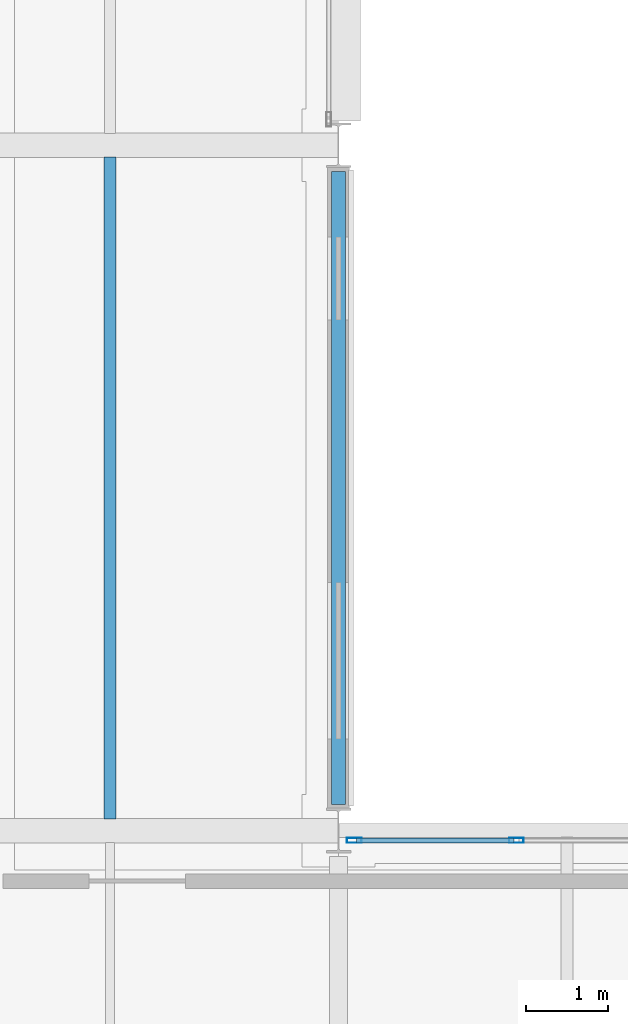
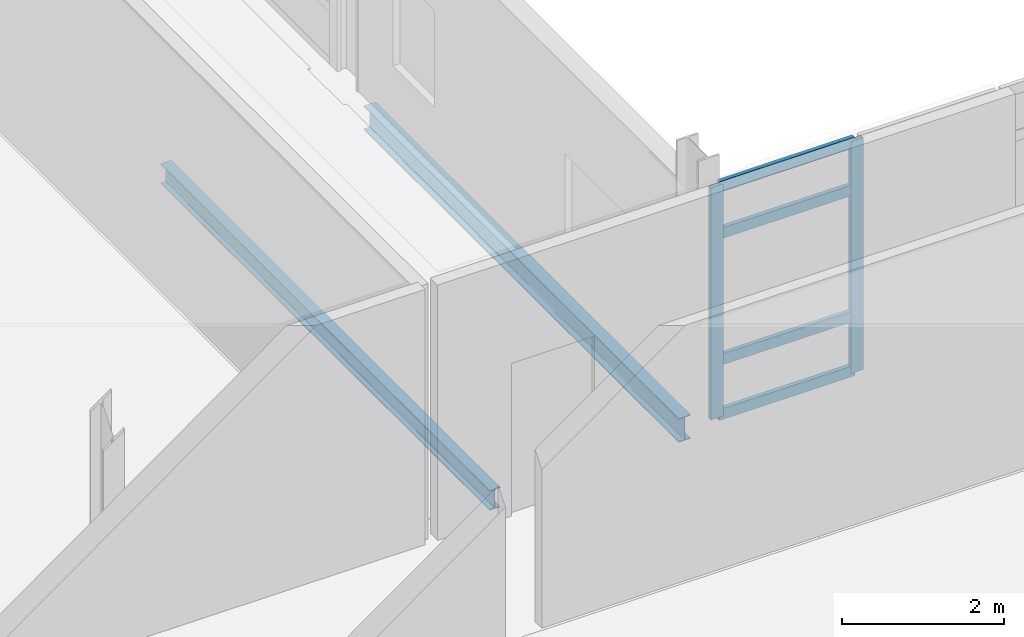
# One storey, part 28 of 151: 6 members, 2 beams, 1 element without a shape of its own.
"""IFC4 building model written with IfcOpenShell, lengths in metres."""

from ifc_helpers import new_model, si_unit, direction, frame, origin, origin_2d, place, context, subcontext, project, spatial, hollow_rectangle, i_section, extrude, material, material_profile, profile_set, type_object, element, aggregate, save


model = new_model("IFC4")

# Units and contexts
model_context = context("Model", 3, precision=1e-05, world=origin(), true_north=direction((0.0, 1.0)))
body_context = subcontext(model_context, "Body", "Model", "MODEL_VIEW")
ifc_project = project(units=[si_unit("LENGTHUNIT", "METRE"), si_unit("AREAUNIT", "SQUARE_METRE"), si_unit("VOLUMEUNIT", "CUBIC_METRE"), si_unit("PLANEANGLEUNIT", "RADIAN"), si_unit("MASSUNIT", "GRAM", prefix="KILO")], contexts=[model_context])

# Site, building, storey
site_placement = place(None, origin())
site = spatial("IfcSite", under=ifc_project, at=site_placement, CompositionType="ELEMENT")
building_placement = place(site_placement, origin())
building = spatial("IfcBuilding", under=site, at=building_placement, Name="Mersafa Astral City Hall", CompositionType="ELEMENT")
storey_placement = place(building_placement, frame((0.0, 0.0, 9.89990234375)))
storey = spatial("IfcBuildingStorey", under=building, at=storey_placement, Name="L02", CompositionType="ELEMENT", Elevation=9.89990234375)

# Curtain wall, members
ifc_material_1 = material(Name="Anodised bronze aluminium framing", Category="aluminium")
curtain_wall_type = type_object("IfcCurtainWallType", Name="ENV-CW-3", PredefinedType="USERDEFINED", material=ifc_material_1)
curtain_wall_placement = place(storey_placement, origin())
curtain_wall = element("IfcCurtainWall", 1, at=curtain_wall_placement, inside=storey, type_object=curtain_wall_type, Name="L02 Unitised solar curtain wall 110", ObjectType="UNITISED CURTAIN WALL", PredefinedType="USERDEFINED")
ifc_material_profile_1 = material_profile(ifc_material_1, hollow_rectangle(XDim=0.06005859375, YDim=0.179931640625, WallThickness=0.00390625, at=origin_2d()), Name="RHS 60x180x4")
ifc_profile_set_1 = profile_set([ifc_material_profile_1], Name="Anodised bronze aluminium framing")
member_type_1 = type_object("IfcMemberType", Name="ENV-CW-MUL-1", PredefinedType="MULLION", material=ifc_profile_set_1)
member_1_placement = place(storey_placement, frame((119.781005859375, 33.47998046875, -0.001953125), z_axis=(0.0, 0.0, 1.0), x_axis=(0.0, -1.0, 0.0)))
member_1 = element("IfcMember", 2, at=member_1_placement, type_object=member_type_1, Name="CW-3 mullion 4", PredefinedType="MULLION", context=body_context, shape_type="SweptSolid", body=[
    extrude(hollow_rectangle(XDim=0.06005859375, YDim=0.179931640625, WallThickness=0.00390625, at=origin_2d()), origin(), (0.0, 0.0, 1.0), 3.489013671875),
])
member_2_placement = place(storey_placement, frame((117.7919921875, 33.47998046875, -0.001953125), z_axis=(0.0, 0.0, 1.0), x_axis=(0.0, -1.0, 0.0)))
member_2 = element("IfcMember", 3, at=member_2_placement, type_object=member_type_1, Name="CW-3 mullion 5", PredefinedType="MULLION", context=body_context, shape_type="SweptSolid", body=[
    extrude(hollow_rectangle(XDim=0.06005859375, YDim=0.179931640625, WallThickness=0.00390625, at=origin_2d()), origin(), (0.0, 0.0, 1.0), 3.489013671875),
])
ifc_material_profile_2 = material_profile(ifc_material_1, hollow_rectangle(XDim=0.06005859375, YDim=0.159912109375, WallThickness=0.00390625, at=origin_2d()), Name="RHS 60x160x4")
ifc_profile_set_2 = profile_set([ifc_material_profile_2], Name="Anodised bronze aluminium framing")
member_type_2 = type_object("IfcMemberType", Name="ENV-CW-TRN-2", PredefinedType="USERDEFINED", material=ifc_profile_set_2)
member_3_placement = place(storey_placement, frame((119.7509765625, 33.47998046875, 0.028076171875), z_axis=(-1.0, 0.0, 0.0), x_axis=(0.0, -1.0, 0.0)))
member_3 = element("IfcMember", 4, at=member_3_placement, type_object=member_type_2, Name="CW-3 transom 4.1", ObjectType="TRANSOM", PredefinedType="USERDEFINED", context=body_context, shape_type="SweptSolid", body=[
    extrude(hollow_rectangle(XDim=0.06005859375, YDim=0.159912109375, WallThickness=0.00390625, at=origin_2d()), origin(), (0.0, 0.0, 1.0), 1.928955078125),
])
member_4_placement = place(storey_placement, frame((119.7509765625, 33.47998046875, 0.85009765625), z_axis=(-1.0, 0.0, 0.0), x_axis=(0.0, -1.0, 0.0)))
member_4 = element("IfcMember", 5, at=member_4_placement, type_object=member_type_2, Name="CW-3 transom 4.2", ObjectType="TRANSOM", PredefinedType="USERDEFINED", context=body_context, shape_type="SweptSolid", body=[
    extrude(hollow_rectangle(XDim=0.06005859375, YDim=0.159912109375, WallThickness=0.00390625, at=origin_2d()), origin(), (0.0, 0.0, 1.0), 1.928955078125),
])
member_5_placement = place(storey_placement, frame((119.7509765625, 33.47998046875, 2.75), z_axis=(-1.0, 0.0, 0.0), x_axis=(0.0, -1.0, 0.0)))
member_5 = element("IfcMember", 6, at=member_5_placement, type_object=member_type_2, Name="CW-3 transom 4.3", ObjectType="TRANSOM", PredefinedType="USERDEFINED", context=body_context, shape_type="SweptSolid", body=[
    extrude(hollow_rectangle(XDim=0.06005859375, YDim=0.159912109375, WallThickness=0.00390625, at=origin_2d()), origin(), (0.0, 0.0, 1.0), 1.928955078125),
])
member_6_placement = place(storey_placement, frame((119.7509765625, 33.47998046875, 3.45703125), z_axis=(-1.0, 0.0, 0.0), x_axis=(0.0, -1.0, 0.0)))
member_6 = element("IfcMember", 7, at=member_6_placement, type_object=member_type_2, Name="CW-3 transom 4.4", ObjectType="TRANSOM", PredefinedType="USERDEFINED", context=body_context, shape_type="SweptSolid", body=[
    extrude(hollow_rectangle(XDim=0.06005859375, YDim=0.159912109375, WallThickness=0.00390625, at=origin_2d()), origin(), (0.0, 0.0, 1.0), 1.928955078125),
])
aggregate(curtain_wall, [member_1, member_2, member_3, member_4, member_5, member_6])

# Beams
ifc_material_2 = material(Name="Steel S355", Category="steel")
ifc_material_profile_3 = material_profile(ifc_material_2, i_section(OverallWidth=0.14990234375, OverallDepth=0.300048828125, WebThickness=0.007080078125, FlangeThickness=0.0107421875, FilletRadius=0.014892578125, at=origin_2d()), Name="IPE 300")
ifc_profile_set_3 = profile_set([ifc_material_profile_3], Name="Steel S355")
beam_type_1 = type_object("IfcBeamType", Name="STR-BM-JOIST-IPE300", PredefinedType="JOIST", material=ifc_profile_set_3)
beam_1_placement = place(storey_placement, frame((114.800048828125, 33.7451171875, -0.349853515625), z_axis=(0.0, 1.0, 0.0), x_axis=(-1.0, 0.0, 0.0)))
element("IfcBeam", 8, at=beam_1_placement, inside=storey, type_object=beam_type_1, Name="L02 Composite secondary floor joist 473", PredefinedType="JOIST", context=body_context, shape_type="SweptSolid", body=[
    extrude(i_section(OverallWidth=0.14990234375, OverallDepth=0.300048828125, WebThickness=0.007080078125, FlangeThickness=0.0107421875, FilletRadius=0.014892578125, at=origin_2d()), origin(), (0.0, 0.0, 1.0), 8.10986328125),
])
ifc_material_profile_4 = material_profile(ifc_material_2, i_section(OverallWidth=0.169921875, OverallDepth=0.360107421875, WebThickness=0.008056640625, FlangeThickness=0.0126953125, FilletRadius=0.01806640625, at=origin_2d()), Name="IPE 360")
ifc_profile_set_4 = profile_set([ifc_material_profile_4], Name="Steel S355")
beam_type_2 = type_object("IfcBeamType", Name="STR-BM-SPANDREL-IPE360", PredefinedType="SPANDREL", material=ifc_profile_set_4)
beam_2_placement = place(storey_placement, frame((117.60009765625, 33.919921875, -0.3798828125), z_axis=(0.0, 1.0, 0.0), x_axis=(-1.0, 0.0, 0.0)))
element("IfcBeam", 9, at=beam_2_placement, inside=storey, type_object=beam_type_2, Name="L02 Primary girder Y 14-4", PredefinedType="SPANDREL", context=body_context, shape_type="SweptSolid", body=[
    extrude(i_section(OverallWidth=0.169921875, OverallDepth=0.360107421875, WebThickness=0.008056640625, FlangeThickness=0.0126953125, FilletRadius=0.01806640625, at=origin_2d()), origin(), (0.0, 0.0, 1.0), 7.760009765625),
])

save(model, "model.ifc")
